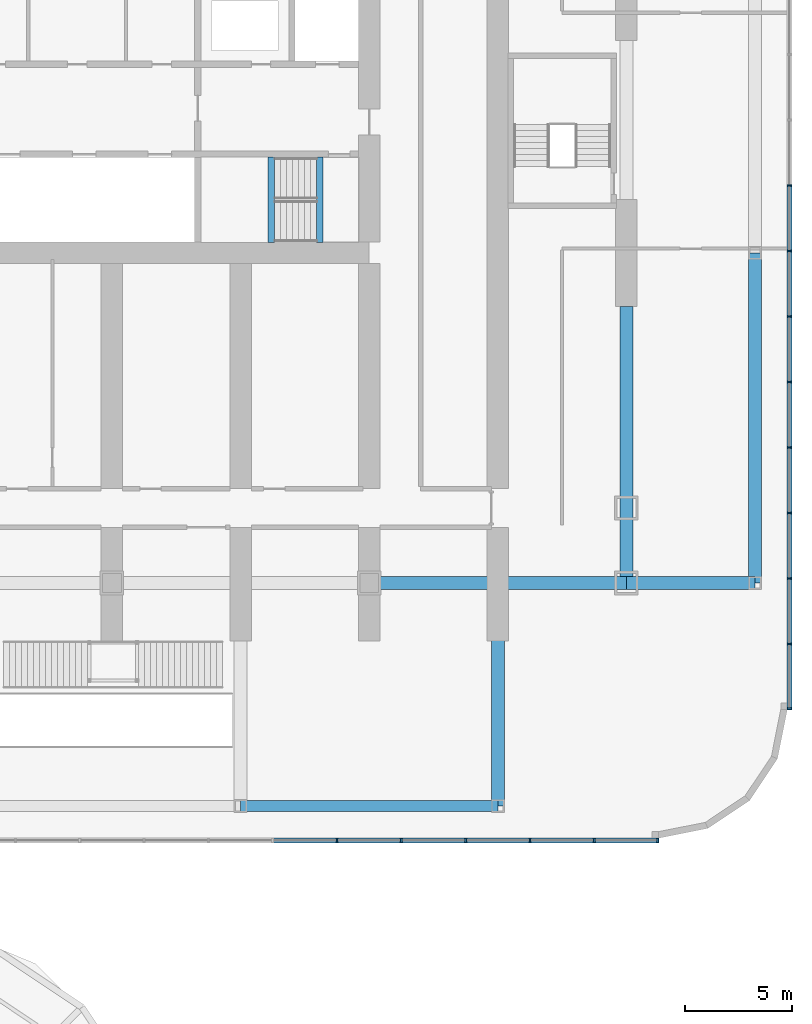
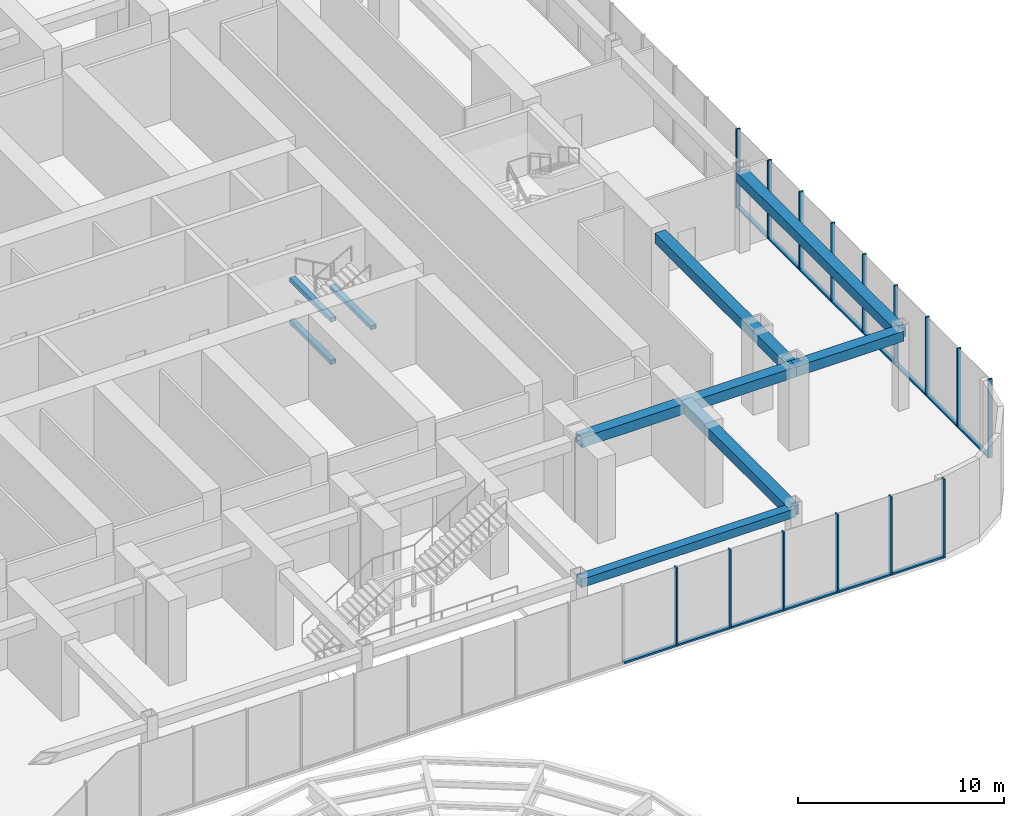
# One storey, part 8 of 37: 29 members, 9 beams, 2 elements without a shape of their own.
"""IFC4 building model written with IfcOpenShell, lengths in metres."""

from ifc_helpers import new_model, si_unit, direction, frame, origin, origin_2d, place, context, subcontext, project, spatial, rectangle, hollow_rectangle, extrude, material, material_profile, profile_set, type_object, element, aggregate, save


model = new_model("IFC4")

# Units and contexts
model_context = context("Model", 3, precision=1e-05, world=origin(), true_north=direction((0.0, 1.0)))
body_context = subcontext(model_context, "Body", "Model", "MODEL_VIEW")
ifc_project = project(units=[si_unit("LENGTHUNIT", "METRE"), si_unit("AREAUNIT", "SQUARE_METRE"), si_unit("VOLUMEUNIT", "CUBIC_METRE"), si_unit("PLANEANGLEUNIT", "RADIAN"), si_unit("MASSUNIT", "GRAM", prefix="KILO")], contexts=[model_context])

# Site, building, storey
site_placement = place(None, origin())
site = spatial("IfcSite", under=ifc_project, at=site_placement, CompositionType="ELEMENT")
building_placement = place(site_placement, origin())
building = spatial("IfcBuilding", under=site, at=building_placement, Name="Orbita Commons", CompositionType="ELEMENT")
storey_placement = place(building_placement, frame((0.0, 0.0, 6.0)))
storey = spatial("IfcBuildingStorey", under=building, at=storey_placement, Name="L01", CompositionType="ELEMENT", Elevation=6.0)

# Curtain wall, members
ifc_material_1 = material(Name="Anodised aluminium frame, pale silver", Category="aluminium")
curtain_wall_type = type_object("IfcCurtainWallType", Name="Podium storefront curtain wall CW-P", PredefinedType="NOTDEFINED", material=ifc_material_1)
curtain_wall_1_placement = place(storey_placement, origin())
curtain_wall_1 = element("IfcCurtainWall", 1, at=curtain_wall_1_placement, inside=storey, type_object=curtain_wall_type, Name="Curtain wall S 1 L01", PredefinedType="NOTDEFINED")
ifc_material_2 = material(Name="Anodised aluminium, pale silver", Category="aluminium")
ifc_material_profile_1 = material_profile(ifc_material_2, rectangle(XDim=0.080078125, YDim=0.219970703125, at=origin_2d()), Name="AL 80x220")
ifc_profile_set_1 = profile_set([ifc_material_profile_1], Name="Anodised aluminium, pale silver")
member_type_1 = type_object("IfcMemberType", Name="Curtain wall mullion 80x220", PredefinedType="MULLION", material=ifc_profile_set_1)
member_1_placement = place(storey_placement, frame((64.5, -1.610107421875, 0.0), z_axis=(0.0, 0.0, 1.0), x_axis=(1.0, 0.0, 0.0)))
member_1 = element("IfcMember", 2, at=member_1_placement, type_object=member_type_1, Name="Mullion 21 CW-L01-S0", PredefinedType="MULLION", context=body_context, shape_type="SweptSolid", body=[
    extrude(rectangle(XDim=0.080078125, YDim=0.219970703125, at=origin_2d()), origin(), (0.0, 0.0, 1.0), 4.64990234375),
])
member_2_placement = place(storey_placement, frame((67.5, -1.610107421875, 0.0), z_axis=(0.0, 0.0, 1.0), x_axis=(1.0, 0.0, 0.0)))
member_2 = element("IfcMember", 3, at=member_2_placement, type_object=member_type_1, Name="Mullion 22 CW-L01-S0", PredefinedType="MULLION", context=body_context, shape_type="SweptSolid", body=[
    extrude(rectangle(XDim=0.080078125, YDim=0.219970703125, at=origin_2d()), origin(), (0.0, 0.0, 1.0), 4.64990234375),
])
member_3_placement = place(storey_placement, frame((70.5, -1.610107421875, 0.0), z_axis=(0.0, 0.0, 1.0), x_axis=(1.0, 0.0, 0.0)))
member_3 = element("IfcMember", 4, at=member_3_placement, type_object=member_type_1, Name="Mullion 23 CW-L01-S0", PredefinedType="MULLION", context=body_context, shape_type="SweptSolid", body=[
    extrude(rectangle(XDim=0.080078125, YDim=0.219970703125, at=origin_2d()), origin(), (0.0, 0.0, 1.0), 4.64990234375),
])
member_4_placement = place(storey_placement, frame((73.5, -1.610107421875, 0.0), z_axis=(0.0, 0.0, 1.0), x_axis=(1.0, 0.0, 0.0)))
member_4 = element("IfcMember", 5, at=member_4_placement, type_object=member_type_1, Name="Mullion 24 CW-L01-S0", PredefinedType="MULLION", context=body_context, shape_type="SweptSolid", body=[
    extrude(rectangle(XDim=0.080078125, YDim=0.219970703125, at=origin_2d()), origin(), (0.0, 0.0, 1.0), 4.64990234375),
])
member_5_placement = place(storey_placement, frame((76.5, -1.610107421875, 0.0), z_axis=(0.0, 0.0, 1.0), x_axis=(1.0, 0.0, 0.0)))
member_5 = element("IfcMember", 6, at=member_5_placement, type_object=member_type_1, Name="Mullion 25 CW-L01-S0", PredefinedType="MULLION", context=body_context, shape_type="SweptSolid", body=[
    extrude(rectangle(XDim=0.080078125, YDim=0.219970703125, at=origin_2d()), origin(), (0.0, 0.0, 1.0), 4.64990234375),
])
member_6_placement = place(storey_placement, frame((79.4599609375, -1.610107421875, 0.0), z_axis=(0.0, 0.0, 1.0), x_axis=(1.0, 0.0, 0.0)))
member_6 = element("IfcMember", 7, at=member_6_placement, type_object=member_type_1, Name="Mullion 26 CW-L01-S0", PredefinedType="MULLION", context=body_context, shape_type="SweptSolid", body=[
    extrude(rectangle(XDim=0.080078125, YDim=0.219970703125, at=origin_2d()), origin(), (0.0, 0.0, 1.0), 4.64990234375),
])

curtain_wall_2_placement = place(storey_placement, origin())
curtain_wall_2 = element("IfcCurtainWall", 8, at=curtain_wall_2_placement, inside=storey, type_object=curtain_wall_type, Name="Curtain wall E 1 L01", PredefinedType="NOTDEFINED")
member_7_placement = place(storey_placement, frame((85.610107421875, 4.5400390625, 0.0), z_axis=(0.0, 0.0, 1.0), x_axis=(0.0, 1.0, 0.0)))
member_7 = element("IfcMember", 9, at=member_7_placement, type_object=member_type_1, Name="Mullion 1 CW-L01-E0", PredefinedType="MULLION", context=body_context, shape_type="SweptSolid", body=[
    extrude(rectangle(XDim=0.080078125, YDim=0.219970703125, at=origin_2d()), origin(), (0.0, 0.0, 1.0), 4.64990234375),
])
member_8_placement = place(storey_placement, frame((85.610107421875, 7.5556640625, 0.0), z_axis=(0.0, 0.0, 1.0), x_axis=(0.0, 1.0, 0.0)))
member_8 = element("IfcMember", 10, at=member_8_placement, type_object=member_type_1, Name="Mullion 2 CW-L01-E0", PredefinedType="MULLION", context=body_context, shape_type="SweptSolid", body=[
    extrude(rectangle(XDim=0.080078125, YDim=0.219970703125, at=origin_2d()), origin(), (0.0, 0.0, 1.0), 4.64990234375),
])
member_9_placement = place(storey_placement, frame((85.610107421875, 10.611083984375, 0.0), z_axis=(0.0, 0.0, 1.0), x_axis=(0.0, 1.0, 0.0)))
member_9 = element("IfcMember", 11, at=member_9_placement, type_object=member_type_1, Name="Mullion 3 CW-L01-E0", PredefinedType="MULLION", context=body_context, shape_type="SweptSolid", body=[
    extrude(rectangle(XDim=0.080078125, YDim=0.219970703125, at=origin_2d()), origin(), (0.0, 0.0, 1.0), 4.64990234375),
])
member_10_placement = place(storey_placement, frame((85.610107421875, 13.666748046875, 0.0), z_axis=(0.0, 0.0, 1.0), x_axis=(0.0, 1.0, 0.0)))
member_10 = element("IfcMember", 12, at=member_10_placement, type_object=member_type_1, Name="Mullion 4 CW-L01-E0", PredefinedType="MULLION", context=body_context, shape_type="SweptSolid", body=[
    extrude(rectangle(XDim=0.080078125, YDim=0.219970703125, at=origin_2d()), origin(), (0.0, 0.0, 1.0), 4.64990234375),
])
member_11_placement = place(storey_placement, frame((85.610107421875, 16.72216796875, 0.0), z_axis=(0.0, 0.0, 1.0), x_axis=(0.0, 1.0, 0.0)))
member_11 = element("IfcMember", 13, at=member_11_placement, type_object=member_type_1, Name="Mullion 5 CW-L01-E0", PredefinedType="MULLION", context=body_context, shape_type="SweptSolid", body=[
    extrude(rectangle(XDim=0.080078125, YDim=0.219970703125, at=origin_2d()), origin(), (0.0, 0.0, 1.0), 4.64990234375),
])
member_12_placement = place(storey_placement, frame((85.610107421875, 19.77783203125, 0.0), z_axis=(0.0, 0.0, 1.0), x_axis=(0.0, 1.0, 0.0)))
member_12 = element("IfcMember", 14, at=member_12_placement, type_object=member_type_1, Name="Mullion 6 CW-L01-E0", PredefinedType="MULLION", context=body_context, shape_type="SweptSolid", body=[
    extrude(rectangle(XDim=0.080078125, YDim=0.219970703125, at=origin_2d()), origin(), (0.0, 0.0, 1.0), 4.64990234375),
])
member_13_placement = place(storey_placement, frame((85.610107421875, 22.833251953125, 0.0), z_axis=(0.0, 0.0, 1.0), x_axis=(0.0, 1.0, 0.0)))
member_13 = element("IfcMember", 15, at=member_13_placement, type_object=member_type_1, Name="Mullion 7 CW-L01-E0", PredefinedType="MULLION", context=body_context, shape_type="SweptSolid", body=[
    extrude(rectangle(XDim=0.080078125, YDim=0.219970703125, at=origin_2d()), origin(), (0.0, 0.0, 1.0), 4.64990234375),
])
member_14_placement = place(storey_placement, frame((85.610107421875, 25.888916015625, 0.0), z_axis=(0.0, 0.0, 1.0), x_axis=(0.0, 1.0, 0.0)))
member_14 = element("IfcMember", 16, at=member_14_placement, type_object=member_type_1, Name="Mullion 8 CW-L01-E0", PredefinedType="MULLION", context=body_context, shape_type="SweptSolid", body=[
    extrude(rectangle(XDim=0.080078125, YDim=0.219970703125, at=origin_2d()), origin(), (0.0, 0.0, 1.0), 4.64990234375),
])
member_15_placement = place(storey_placement, frame((85.610107421875, 28.9443359375, 0.0), z_axis=(0.0, 0.0, 1.0), x_axis=(0.0, 1.0, 0.0)))
member_15 = element("IfcMember", 17, at=member_15_placement, type_object=member_type_1, Name="Mullion 9 CW-L01-E0", PredefinedType="MULLION", context=body_context, shape_type="SweptSolid", body=[
    extrude(rectangle(XDim=0.080078125, YDim=0.219970703125, at=origin_2d()), origin(), (0.0, 0.0, 1.0), 4.64990234375),
])

# Member
ifc_material_3 = material(Name="Anodised aluminium, pale silver", Category="aluminium")
ifc_material_profile_2 = material_profile(ifc_material_3, rectangle(XDim=0.219970703125, YDim=0.10009765625, at=origin_2d()), Name="AL 220x100")
ifc_profile_set_2 = profile_set([ifc_material_profile_2], Name="Anodised aluminium, pale silver")
member_type_2 = type_object("IfcMemberType", Name="Curtain wall stack transom 220x100", PredefinedType="USERDEFINED", material=ifc_profile_set_2)
member_16_placement = place(storey_placement, frame((61.5400390625, -1.610107421875, 0.050048828125), z_axis=(1.0, 0.0, 0.0), x_axis=(0.0, 1.0, 0.0)))
member_16 = element("IfcMember", 18, at=member_16_placement, type_object=member_type_2, Name="Transom 20.1 CW-L01-S0", ObjectType="TRANSOM", PredefinedType="USERDEFINED", context=body_context, shape_type="SweptSolid", body=[
    extrude(rectangle(XDim=0.219970703125, YDim=0.10009765625, at=origin_2d()), origin(), (0.0, 0.0, 1.0), 2.919921875),
])

member_17_placement = place(storey_placement, frame((64.5400390625, -1.610107421875, 0.050048828125), z_axis=(1.0, 0.0, 0.0), x_axis=(0.0, 1.0, 0.0)))
member_17 = element("IfcMember", 19, at=member_17_placement, type_object=member_type_2, Name="Transom 21.1 CW-L01-S0", ObjectType="TRANSOM", PredefinedType="USERDEFINED", context=body_context, shape_type="SweptSolid", body=[
    extrude(rectangle(XDim=0.219970703125, YDim=0.10009765625, at=origin_2d()), origin(), (0.0, 0.0, 1.0), 2.919921875),
])

member_18_placement = place(storey_placement, frame((67.5400390625, -1.610107421875, 0.050048828125), z_axis=(1.0, 0.0, 0.0), x_axis=(0.0, 1.0, 0.0)))
member_18 = element("IfcMember", 20, at=member_18_placement, type_object=member_type_2, Name="Transom 22.1 CW-L01-S0", ObjectType="TRANSOM", PredefinedType="USERDEFINED", context=body_context, shape_type="SweptSolid", body=[
    extrude(rectangle(XDim=0.219970703125, YDim=0.10009765625, at=origin_2d()), origin(), (0.0, 0.0, 1.0), 2.919921875),
])

member_19_placement = place(storey_placement, frame((70.5400390625, -1.610107421875, 0.050048828125), z_axis=(1.0, 0.0, 0.0), x_axis=(0.0, 1.0, 0.0)))
member_19 = element("IfcMember", 21, at=member_19_placement, type_object=member_type_2, Name="Transom 23.1 CW-L01-S0", ObjectType="TRANSOM", PredefinedType="USERDEFINED", context=body_context, shape_type="SweptSolid", body=[
    extrude(rectangle(XDim=0.219970703125, YDim=0.10009765625, at=origin_2d()), origin(), (0.0, 0.0, 1.0), 2.919921875),
])

member_20_placement = place(storey_placement, frame((73.5400390625, -1.610107421875, 0.050048828125), z_axis=(1.0, 0.0, 0.0), x_axis=(0.0, 1.0, 0.0)))
member_20 = element("IfcMember", 22, at=member_20_placement, type_object=member_type_2, Name="Transom 24.1 CW-L01-S0", ObjectType="TRANSOM", PredefinedType="USERDEFINED", context=body_context, shape_type="SweptSolid", body=[
    extrude(rectangle(XDim=0.219970703125, YDim=0.10009765625, at=origin_2d()), origin(), (0.0, 0.0, 1.0), 2.919921875),
])

member_21_placement = place(storey_placement, frame((76.5400390625, -1.610107421875, 0.050048828125), z_axis=(1.0, 0.0, 0.0), x_axis=(0.0, 1.0, 0.0)))
member_21 = element("IfcMember", 23, at=member_21_placement, type_object=member_type_2, Name="Transom 25.1 CW-L01-S0", ObjectType="TRANSOM", PredefinedType="USERDEFINED", context=body_context, shape_type="SweptSolid", body=[
    extrude(rectangle(XDim=0.219970703125, YDim=0.10009765625, at=origin_2d()), origin(), (0.0, 0.0, 1.0), 2.8798828125),
])

aggregate(curtain_wall_1, [member_1, member_2, member_3, member_4, member_5, member_6, member_16, member_17, member_18, member_19, member_20, member_21])

member_22_placement = place(storey_placement, frame((85.610107421875, 4.580078125, 0.050048828125), z_axis=(0.0, 1.0, 0.0), x_axis=(-1.0, 0.0, 0.0)))
member_22 = element("IfcMember", 24, at=member_22_placement, type_object=member_type_2, Name="Transom 1.1 CW-L01-E0", ObjectType="TRANSOM", PredefinedType="USERDEFINED", context=body_context, shape_type="SweptSolid", body=[
    extrude(rectangle(XDim=0.219970703125, YDim=0.10009765625, at=origin_2d()), origin(), (0.0, 0.0, 1.0), 2.935546875),
])

member_23_placement = place(storey_placement, frame((85.610107421875, 7.595458984375, 0.050048828125), z_axis=(0.0, 1.0, 0.0), x_axis=(-1.0, 0.0, 0.0)))
member_23 = element("IfcMember", 25, at=member_23_placement, type_object=member_type_2, Name="Transom 2.1 CW-L01-E0", ObjectType="TRANSOM", PredefinedType="USERDEFINED", context=body_context, shape_type="SweptSolid", body=[
    extrude(rectangle(XDim=0.219970703125, YDim=0.10009765625, at=origin_2d()), origin(), (0.0, 0.0, 1.0), 2.9755859375),
])

member_24_placement = place(storey_placement, frame((85.610107421875, 10.651123046875, 0.050048828125), z_axis=(0.0, 1.0, 0.0), x_axis=(-1.0, 0.0, 0.0)))
member_24 = element("IfcMember", 26, at=member_24_placement, type_object=member_type_2, Name="Transom 3.1 CW-L01-E0", ObjectType="TRANSOM", PredefinedType="USERDEFINED", context=body_context, shape_type="SweptSolid", body=[
    extrude(rectangle(XDim=0.219970703125, YDim=0.10009765625, at=origin_2d()), origin(), (0.0, 0.0, 1.0), 2.9755859375),
])

member_25_placement = place(storey_placement, frame((85.610107421875, 13.706787109375, 0.050048828125), z_axis=(0.0, 1.0, 0.0), x_axis=(-1.0, 0.0, 0.0)))
member_25 = element("IfcMember", 27, at=member_25_placement, type_object=member_type_2, Name="Transom 4.1 CW-L01-E0", ObjectType="TRANSOM", PredefinedType="USERDEFINED", context=body_context, shape_type="SweptSolid", body=[
    extrude(rectangle(XDim=0.219970703125, YDim=0.10009765625, at=origin_2d()), origin(), (0.0, 0.0, 1.0), 2.975341796875),
])

member_26_placement = place(storey_placement, frame((85.610107421875, 16.76220703125, 0.050048828125), z_axis=(0.0, 1.0, 0.0), x_axis=(-1.0, 0.0, 0.0)))
member_26 = element("IfcMember", 28, at=member_26_placement, type_object=member_type_2, Name="Transom 5.1 CW-L01-E0", ObjectType="TRANSOM", PredefinedType="USERDEFINED", context=body_context, shape_type="SweptSolid", body=[
    extrude(rectangle(XDim=0.219970703125, YDim=0.10009765625, at=origin_2d()), origin(), (0.0, 0.0, 1.0), 2.9755859375),
])

member_27_placement = place(storey_placement, frame((85.610107421875, 19.81787109375, 0.050048828125), z_axis=(0.0, 1.0, 0.0), x_axis=(-1.0, 0.0, 0.0)))
member_27 = element("IfcMember", 29, at=member_27_placement, type_object=member_type_2, Name="Transom 6.1 CW-L01-E0", ObjectType="TRANSOM", PredefinedType="USERDEFINED", context=body_context, shape_type="SweptSolid", body=[
    extrude(rectangle(XDim=0.219970703125, YDim=0.10009765625, at=origin_2d()), origin(), (0.0, 0.0, 1.0), 2.975341796875),
])

member_28_placement = place(storey_placement, frame((85.610107421875, 22.873291015625, 0.050048828125), z_axis=(0.0, 1.0, 0.0), x_axis=(-1.0, 0.0, 0.0)))
member_28 = element("IfcMember", 30, at=member_28_placement, type_object=member_type_2, Name="Transom 7.1 CW-L01-E0", ObjectType="TRANSOM", PredefinedType="USERDEFINED", context=body_context, shape_type="SweptSolid", body=[
    extrude(rectangle(XDim=0.219970703125, YDim=0.10009765625, at=origin_2d()), origin(), (0.0, 0.0, 1.0), 2.9755859375),
])

member_29_placement = place(storey_placement, frame((85.610107421875, 25.928955078125, 0.050048828125), z_axis=(0.0, 1.0, 0.0), x_axis=(-1.0, 0.0, 0.0)))
member_29 = element("IfcMember", 31, at=member_29_placement, type_object=member_type_2, Name="Transom 8.1 CW-L01-E0", ObjectType="TRANSOM", PredefinedType="USERDEFINED", context=body_context, shape_type="SweptSolid", body=[
    extrude(rectangle(XDim=0.219970703125, YDim=0.10009765625, at=origin_2d()), origin(), (0.0, 0.0, 1.0), 2.9755859375),
])

aggregate(curtain_wall_2, [member_7, member_8, member_9, member_10, member_11, member_12, member_13, member_14, member_15, member_22, member_23, member_24, member_25, member_26, member_27, member_28, member_29])

# Beams
ifc_material_4 = material(Name="Steel ASTM A572 Gr 50 welded plate", Category="steel")
ifc_material_profile_3 = material_profile(ifc_material_4, hollow_rectangle(XDim=0.300048828125, YDim=0.25, WallThickness=0.02490234375, at=origin_2d()), Name="BOX 250x300x25")
ifc_profile_set_3 = profile_set([ifc_material_profile_3], Name="Steel ASTM A572 Gr 50 welded plate")
beam_type_1 = type_object("IfcBeamType", Name="Stair landing beam steel BOX 250x300x25", PredefinedType="BEAM", material=ifc_profile_set_3)
for number, where, z_axis, x_axis, name in (
    (32, (61.43994140625, 26.284912109375, 0.925048828125), (0.0, 1.0, 0.0), (-1.0, 0.0, 0.0), "Stair S2 landing beam L01 1"),
    (33, (63.699951171875, 26.284912109375, 2.175048828125), (0.0, 1.0, 0.0), (-1.0, 0.0, 0.0), "Stair S2 landing beam L01 2"),
    (34, (61.43994140625, 26.284912109375, 3.425048828125), (0.0, 1.0, 0.0), (-1.0, 0.0, 0.0), "Stair S2 landing beam L01 3"),
):
    element("IfcBeam", number, at=place(storey_placement, frame(where, z_axis=z_axis, x_axis=x_axis)), inside=storey, type_object=beam_type_1, Name=name, PredefinedType="BEAM", context=body_context, shape_type="SweptSolid", body=[
        extrude(hollow_rectangle(XDim=0.300048828125, YDim=0.25, WallThickness=0.02490234375, at=origin_2d()), origin(), (0.0, 0.0, 1.0), 3.97998046875),
    ])
ifc_material_5 = material(Name="Steel ASTM A572 Gr 50 welded plate", Category="steel")
ifc_material_profile_4 = material_profile(ifc_material_5, hollow_rectangle(XDim=0.5, YDim=0.5, WallThickness=0.050048828125, at=origin_2d()), Name="BOX 500x500x50")
ifc_profile_set_4 = profile_set([ifc_material_profile_4], Name="Steel ASTM A572 Gr 50 welded plate")
beam_type_2 = type_object("IfcBeamType", Name="Steel edge beam BOX 500x500x50", PredefinedType="SPANDREL", material=ifc_profile_set_4)
beam_1_placement = place(storey_placement, frame((60.0, 0.0, 4.39990234375), z_axis=(1.0, 0.0, 0.0), x_axis=(0.0, 1.0, 0.0)))
element("IfcBeam", 35, at=beam_1_placement, inside=storey, type_object=beam_type_2, Name="Edge beam A 11-13 L01", PredefinedType="SPANDREL", context=body_context, shape_type="SweptSolid", body=[
    extrude(hollow_rectangle(XDim=0.5, YDim=0.5, WallThickness=0.050048828125, at=origin_2d()), origin(), (0.0, 0.0, 1.0), 12.0),
])
ifc_material_6 = material(Name="Steel ASTM A572 Gr 50 welded plate", Category="steel")
ifc_material_profile_5 = material_profile(ifc_material_6, hollow_rectangle(XDim=0.60009765625, YDim=0.60009765625, WallThickness=0.06005859375, at=origin_2d()), Name="BOX 600x600x60")
ifc_profile_set_5 = profile_set([ifc_material_profile_5], Name="Steel ASTM A572 Gr 50 welded plate")
beam_type_3 = type_object("IfcBeamType", Name="Steel podium beam BOX 600x600x60", PredefinedType="BEAM", material=ifc_profile_set_5)
beam_2_placement = place(storey_placement, frame((66.0, 10.39990234375, 4.35009765625), z_axis=(1.0, 0.0, 0.0), x_axis=(0.0, 1.0, 0.0)))
element("IfcBeam", 36, at=beam_2_placement, inside=storey, type_object=beam_type_3, Name="Podium beam B 12-14 L01", PredefinedType="BEAM", context=body_context, shape_type="SweptSolid", body=[
    extrude(hollow_rectangle(XDim=0.60009765625, YDim=0.60009765625, WallThickness=0.06005859375, at=origin_2d()), origin(), (0.0, 0.0, 1.0), 12.0),
])
beam_3_placement = place(storey_placement, frame((78.0, 10.39990234375, 4.35009765625), z_axis=(1.0, 0.0, 0.0), x_axis=(0.0, 1.0, 0.0)))
element("IfcBeam", 37, at=beam_3_placement, inside=storey, type_object=beam_type_3, Name="Podium beam B 14-15 L01", PredefinedType="BEAM", context=body_context, shape_type="SweptSolid", body=[
    extrude(hollow_rectangle(XDim=0.60009765625, YDim=0.60009765625, WallThickness=0.06005859375, at=origin_2d()), origin(), (0.0, 0.0, 1.0), 6.0),
])
beam_4_placement = place(storey_placement, frame((72.0, 0.0, 4.35009765625), z_axis=(0.0, 1.0, 0.0), x_axis=(-1.0, 0.0, 0.0)))
element("IfcBeam", 38, at=beam_4_placement, inside=storey, type_object=beam_type_3, Name="Podium beam 13 A-B L01", PredefinedType="BEAM", context=body_context, shape_type="SweptSolid", body=[
    extrude(hollow_rectangle(XDim=0.60009765625, YDim=0.60009765625, WallThickness=0.06005859375, at=origin_2d()), origin(), (0.0, 0.0, 1.0), 10.39990234375),
])
beam_5_placement = place(storey_placement, frame((84.0, 10.39990234375, 4.35009765625), z_axis=(0.0, 1.0, 0.0), x_axis=(-1.0, 0.0, 0.0)))
element("IfcBeam", 39, at=beam_5_placement, inside=storey, type_object=beam_type_3, Name="Podium beam 15 B-C L01", PredefinedType="BEAM", context=body_context, shape_type="SweptSolid", body=[
    extrude(hollow_rectangle(XDim=0.60009765625, YDim=0.60009765625, WallThickness=0.06005859375, at=origin_2d()), origin(), (0.0, 0.0, 1.0), 15.400146484375),
])
beam_6_placement = place(storey_placement, frame((78.0, 10.39990234375, 4.35009765625), z_axis=(0.0, 1.0, 0.0), x_axis=(-1.0, 0.0, 0.0)))
element("IfcBeam", 40, at=beam_6_placement, inside=storey, type_object=beam_type_3, Name="Podium beam 14 B-C L01", PredefinedType="BEAM", context=body_context, shape_type="SweptSolid", body=[
    extrude(hollow_rectangle(XDim=0.60009765625, YDim=0.60009765625, WallThickness=0.06005859375, at=origin_2d()), origin(), (0.0, 0.0, 1.0), 12.900146484375),
])

save(model, "model.ifc")
